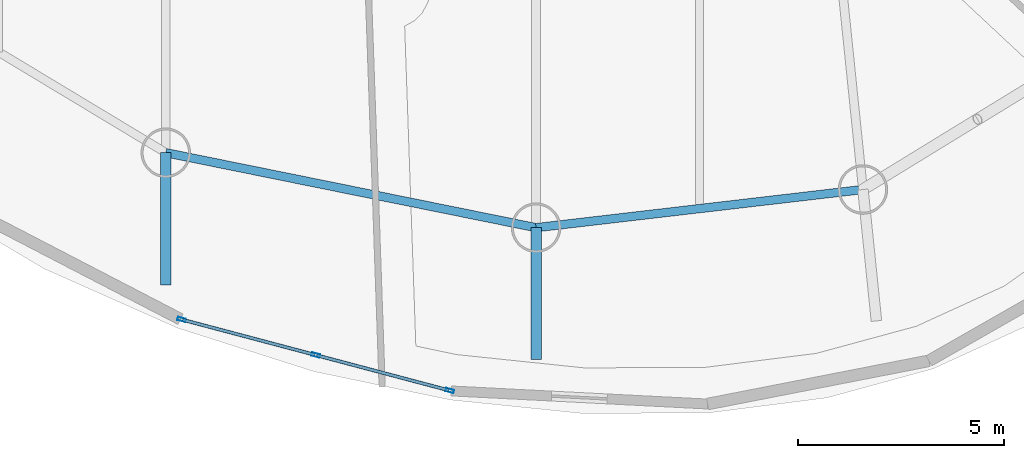
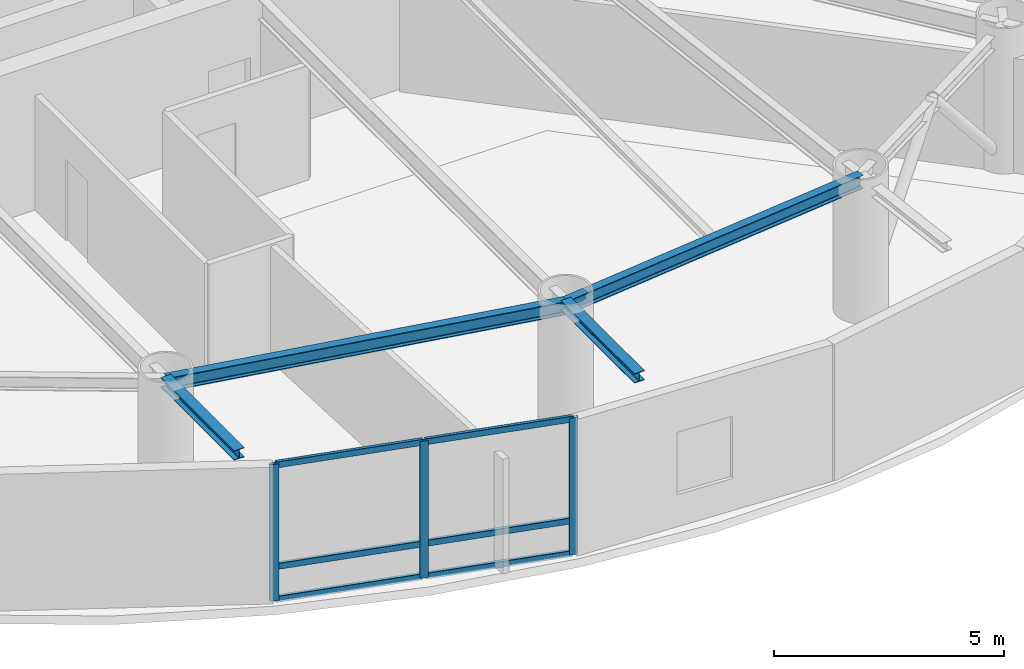
# One storey, part 2 of 20: 9 members, 4 beams, 1 element without a shape of its own.
"""IFC4 building model written with IfcOpenShell, lengths in metres."""

from ifc_helpers import new_model, si_unit, direction, frame, origin, origin_2d, place, context, subcontext, project, spatial, hollow_rectangle, i_section, extrude, material, layer, layer_set, material_profile, profile_set, type_object, element, aggregate, save


model = new_model("IFC4")

# Units and contexts
model_context = context("Model", 3, precision=1e-05, world=origin(), true_north=direction((0.0, 1.0)))
body_context = subcontext(model_context, "Body", "Model", "MODEL_VIEW")
ifc_project = project(units=[si_unit("LENGTHUNIT", "METRE"), si_unit("AREAUNIT", "SQUARE_METRE"), si_unit("VOLUMEUNIT", "CUBIC_METRE"), si_unit("PLANEANGLEUNIT", "RADIAN"), si_unit("MASSUNIT", "GRAM", prefix="KILO")], contexts=[model_context])

# Site, building, storey
site_placement = place(None, origin())
site = spatial("IfcSite", under=ifc_project, at=site_placement, CompositionType="ELEMENT")
building_placement = place(site_placement, origin())
building = spatial("IfcBuilding", under=site, at=building_placement, Name="Bramvorn Convention Spire", CompositionType="ELEMENT")
storey_placement = place(building_placement, frame((0.0, 0.0, 228.949951171875)))
storey = spatial("IfcBuildingStorey", under=building, at=storey_placement, Name="L58", CompositionType="ELEMENT", Elevation=228.949951171875)

# Beams
ifc_material_1 = material(Name="Steel CSA G40.21 Grade 350 (350W)", Category="steel")
ifc_material_profile_1 = material_profile(ifc_material_1, i_section(OverallWidth=0.25390625, OverallDepth=0.2529296875, WebThickness=0.008544921875, FlangeThickness=0.01416015625, FilletRadius=0.011962890625, at=origin_2d()))
ifc_profile_set_1 = profile_set([ifc_material_profile_1], Name="Steel CSA G40.21 Grade 350 (350W) - W250X73")
beam_type_1 = type_object("IfcBeamType", Name="BM-W250X73", PredefinedType="BEAM", material=ifc_profile_set_1)
for number, where, z_axis, x_axis, name in (
    (1, (33.61083984375, 7.227783203125, 3.49365234375), (0.0, -1.0, 0.0), (1.0, 0.0, 0.0), "L58 slab-edge cantilever tip beam MC14"),
    (2, (42.583740234375, 5.41162109375, 3.49365234375), (0.0, -1.0, 0.0), (1.0, 0.0, 0.0), "L58 slab-edge cantilever tip beam MC15"),
):
    element("IfcBeam", number, at=place(storey_placement, frame(where, z_axis=z_axis, x_axis=x_axis)), inside=storey, type_object=beam_type_1, Name=name, PredefinedType="BEAM", context=body_context, shape_type="SweptSolid", body=[
        extrude(i_section(OverallWidth=0.25390625, OverallDepth=0.2529296875, WebThickness=0.008544921875, FlangeThickness=0.01416015625, FilletRadius=0.011962890625, at=origin_2d()), origin(), (0.0, 0.0, 1.0), 3.199951171875),
    ])
ifc_material_profile_2 = material_profile(ifc_material_1, i_section(OverallWidth=0.205078125, OverallDepth=0.35400390625, WebThickness=0.009521484375, FlangeThickness=0.016845703125, FilletRadius=0.014892578125, at=origin_2d()))
ifc_profile_set_2 = profile_set([ifc_material_profile_2], Name="Steel CSA G40.21 Grade 350 (350W) - W360X79")
beam_type_2 = type_object("IfcBeamType", Name="BM-W360X79", PredefinedType="JOIST", material=ifc_profile_set_2)
beam_1_placement = place(storey_placement, frame((33.61083984375, 7.227783203125, 3.443115234375), z_axis=(0.980124701676, -0.198382381187, 0.0), x_axis=(0.198382381187, 0.980124701676, 0.0)))
element("IfcBeam", 3, at=beam_1_placement, inside=storey, type_object=beam_type_2, Name="L58 mega-column ring beam 14", PredefinedType="JOIST", context=body_context, shape_type="SweptSolid", body=[
    extrude(i_section(OverallWidth=0.205078125, OverallDepth=0.35400390625, WebThickness=0.009521484375, FlangeThickness=0.016845703125, FilletRadius=0.014892578125, at=origin_2d()), origin(), (0.0, 0.0, 1.0), 9.15478515625),
])
beam_2_placement = place(storey_placement, frame((42.583740234375, 5.41162109375, 3.443115234375), z_axis=(0.993256148339, 0.115940604561, 0.0), x_axis=(-0.115940604561, 0.993256148339, 0.0)))
element("IfcBeam", 4, at=beam_2_placement, inside=storey, type_object=beam_type_2, Name="L58 mega-column ring beam 15", PredefinedType="JOIST", context=body_context, shape_type="SweptSolid", body=[
    extrude(i_section(OverallWidth=0.205078125, OverallDepth=0.35400390625, WebThickness=0.009521484375, FlangeThickness=0.016845703125, FilletRadius=0.014892578125, at=origin_2d()), origin(), (0.0, 0.0, 1.0), 7.974365234375),
])

# Curtain wall, members
ifc_material_2 = material(Name="Anodised Bronze Unitised Curtain Wall", Category="aluminium")
ifc_layer = layer(ifc_material_2, 0.179931640625)
ifc_layer_set = layer_set([ifc_layer], Name="Anodised Bronze Unitised Curtain Wall - CW-OFF-FRIT")
curtain_wall_type = type_object("IfcCurtainWallType", Name="CW-OFF-FRIT", PredefinedType="USERDEFINED", material=ifc_layer_set)
curtain_wall_placement = place(storey_placement, origin())
curtain_wall = element("IfcCurtainWall", 5, at=curtain_wall_placement, inside=storey, type_object=curtain_wall_type, Name="L58 fritted glass curtain wall 21", ObjectType="UNITISED CURTAIN WALL", PredefinedType="USERDEFINED")
ifc_material_3 = material(Name="Anodised Bronze Aluminium 6063-T6", Category="aluminium")
ifc_material_profile_3 = material_profile(ifc_material_3, hollow_rectangle(XDim=0.080078125, YDim=0.199951171875, WallThickness=0.00390625, InnerFilletRadius=0.0009765625, OuterFilletRadius=0.00390625, at=origin_2d()))
ifc_profile_set_3 = profile_set([ifc_material_profile_3], Name="Anodised Bronze Aluminium 6063-T6 - CWM80X200")
member_type_1 = type_object("IfcMemberType", Name="CW-MUL-180", PredefinedType="MULLION", material=ifc_profile_set_3)
member_1_placement = place(storey_placement, frame((40.493896484375, 1.46337890625, 0.0), z_axis=(0.0, 0.0, 1.0), x_axis=(-0.256231231085, -0.96661551623, 0.0)))
member_1 = element("IfcMember", 6, at=member_1_placement, type_object=member_type_1, Name="CW3 mullion 1", PredefinedType="MULLION", context=body_context, shape_type="SweptSolid", body=[
    extrude(hollow_rectangle(XDim=0.080078125, YDim=0.199951171875, WallThickness=0.00390625, InnerFilletRadius=0.0009765625, OuterFilletRadius=0.00390625, at=origin_2d()), origin(), (0.0, 0.0, 1.0), 3.6201171875),
])
member_2_placement = place(storey_placement, frame((37.243896484375, 2.32470703125, 0.0), z_axis=(0.0, 0.0, 1.0), x_axis=(-0.256231231085, -0.96661551623, 0.0)))
member_2 = element("IfcMember", 7, at=member_2_placement, type_object=member_type_1, Name="CW3 mullion 2", PredefinedType="MULLION", context=body_context, shape_type="SweptSolid", body=[
    extrude(hollow_rectangle(XDim=0.080078125, YDim=0.199951171875, WallThickness=0.00390625, InnerFilletRadius=0.0009765625, OuterFilletRadius=0.00390625, at=origin_2d()), origin(), (0.0, 0.0, 1.0), 3.6201171875),
])
member_3_placement = place(storey_placement, frame((33.993896484375, 3.186279296875, 0.0), z_axis=(0.0, 0.0, 1.0), x_axis=(-0.256231231085, -0.96661551623, 0.0)))
member_3 = element("IfcMember", 8, at=member_3_placement, type_object=member_type_1, Name="CW3 mullion 3", PredefinedType="MULLION", context=body_context, shape_type="SweptSolid", body=[
    extrude(hollow_rectangle(XDim=0.080078125, YDim=0.199951171875, WallThickness=0.00390625, InnerFilletRadius=0.0009765625, OuterFilletRadius=0.00390625, at=origin_2d()), origin(), (0.0, 0.0, 1.0), 3.6201171875),
])
ifc_material_profile_4 = material_profile(ifc_material_3, hollow_rectangle(XDim=0.080078125, YDim=0.159912109375, WallThickness=0.00390625, InnerFilletRadius=0.0009765625, OuterFilletRadius=0.00390625, at=origin_2d()))
ifc_profile_set_4 = profile_set([ifc_material_profile_4], Name="Anodised Bronze Aluminium 6063-T6 - CWT80X160")
member_type_2 = type_object("IfcMemberType", Name="CW-TRN-150", PredefinedType="USERDEFINED", material=ifc_profile_set_4)
member_4_placement = place(storey_placement, frame((40.46484375, 1.470947265625, 0.030029296875), z_axis=(-0.966609410945, 0.256254261766, 0.0), x_axis=(-0.256254261766, -0.966609410945, 0.0)))
member_4 = element("IfcMember", 9, at=member_4_placement, type_object=member_type_2, Name="CW3 transom 1.1", ObjectType="TRANSOM", PredefinedType="USERDEFINED", context=body_context, shape_type="SweptSolid", body=[
    extrude(hollow_rectangle(XDim=0.080078125, YDim=0.159912109375, WallThickness=0.00390625, InnerFilletRadius=0.0009765625, OuterFilletRadius=0.00390625, at=origin_2d()), origin(), (0.0, 0.0, 1.0), 3.30224609375),
])
member_5_placement = place(storey_placement, frame((40.46484375, 1.470947265625, 0.900146484375), z_axis=(-0.966609410945, 0.256254261766, 0.0), x_axis=(-0.256254261766, -0.966609410945, 0.0)))
member_5 = element("IfcMember", 10, at=member_5_placement, type_object=member_type_2, Name="CW3 transom 1.2", ObjectType="TRANSOM", PredefinedType="USERDEFINED", context=body_context, shape_type="SweptSolid", body=[
    extrude(hollow_rectangle(XDim=0.080078125, YDim=0.159912109375, WallThickness=0.00390625, InnerFilletRadius=0.0009765625, OuterFilletRadius=0.00390625, at=origin_2d()), origin(), (0.0, 0.0, 1.0), 3.30224609375),
])
member_6_placement = place(storey_placement, frame((40.46484375, 1.470947265625, 3.590087890625), z_axis=(-0.966609410945, 0.256254261766, 0.0), x_axis=(-0.256254261766, -0.966609410945, 0.0)))
member_6 = element("IfcMember", 11, at=member_6_placement, type_object=member_type_2, Name="CW3 transom 1.3", ObjectType="TRANSOM", PredefinedType="USERDEFINED", context=body_context, shape_type="SweptSolid", body=[
    extrude(hollow_rectangle(XDim=0.080078125, YDim=0.159912109375, WallThickness=0.00390625, InnerFilletRadius=0.0009765625, OuterFilletRadius=0.00390625, at=origin_2d()), origin(), (0.0, 0.0, 1.0), 3.30224609375),
])
member_7_placement = place(storey_placement, frame((37.21484375, 2.33251953125, 0.030029296875), z_axis=(-0.966609410945, 0.256254261766, 0.0), x_axis=(-0.256254261766, -0.966609410945, 0.0)))
member_7 = element("IfcMember", 12, at=member_7_placement, type_object=member_type_2, Name="CW3 transom 2.1", ObjectType="TRANSOM", PredefinedType="USERDEFINED", context=body_context, shape_type="SweptSolid", body=[
    extrude(hollow_rectangle(XDim=0.080078125, YDim=0.159912109375, WallThickness=0.00390625, InnerFilletRadius=0.0009765625, OuterFilletRadius=0.00390625, at=origin_2d()), origin(), (0.0, 0.0, 1.0), 3.30224609375),
])
member_8_placement = place(storey_placement, frame((37.21484375, 2.33251953125, 0.900146484375), z_axis=(-0.966609410945, 0.256254261766, 0.0), x_axis=(-0.256254261766, -0.966609410945, 0.0)))
member_8 = element("IfcMember", 13, at=member_8_placement, type_object=member_type_2, Name="CW3 transom 2.2", ObjectType="TRANSOM", PredefinedType="USERDEFINED", context=body_context, shape_type="SweptSolid", body=[
    extrude(hollow_rectangle(XDim=0.080078125, YDim=0.159912109375, WallThickness=0.00390625, InnerFilletRadius=0.0009765625, OuterFilletRadius=0.00390625, at=origin_2d()), origin(), (0.0, 0.0, 1.0), 3.30224609375),
])
member_9_placement = place(storey_placement, frame((37.21484375, 2.33251953125, 3.590087890625), z_axis=(-0.966609410945, 0.256254261766, 0.0), x_axis=(-0.256254261766, -0.966609410945, 0.0)))
member_9 = element("IfcMember", 14, at=member_9_placement, type_object=member_type_2, Name="CW3 transom 2.3", ObjectType="TRANSOM", PredefinedType="USERDEFINED", context=body_context, shape_type="SweptSolid", body=[
    extrude(hollow_rectangle(XDim=0.080078125, YDim=0.159912109375, WallThickness=0.00390625, InnerFilletRadius=0.0009765625, OuterFilletRadius=0.00390625, at=origin_2d()), origin(), (0.0, 0.0, 1.0), 3.30224609375),
])
aggregate(curtain_wall, [member_1, member_2, member_3, member_4, member_5, member_6, member_7, member_8, member_9])

save(model, "model.ifc")
